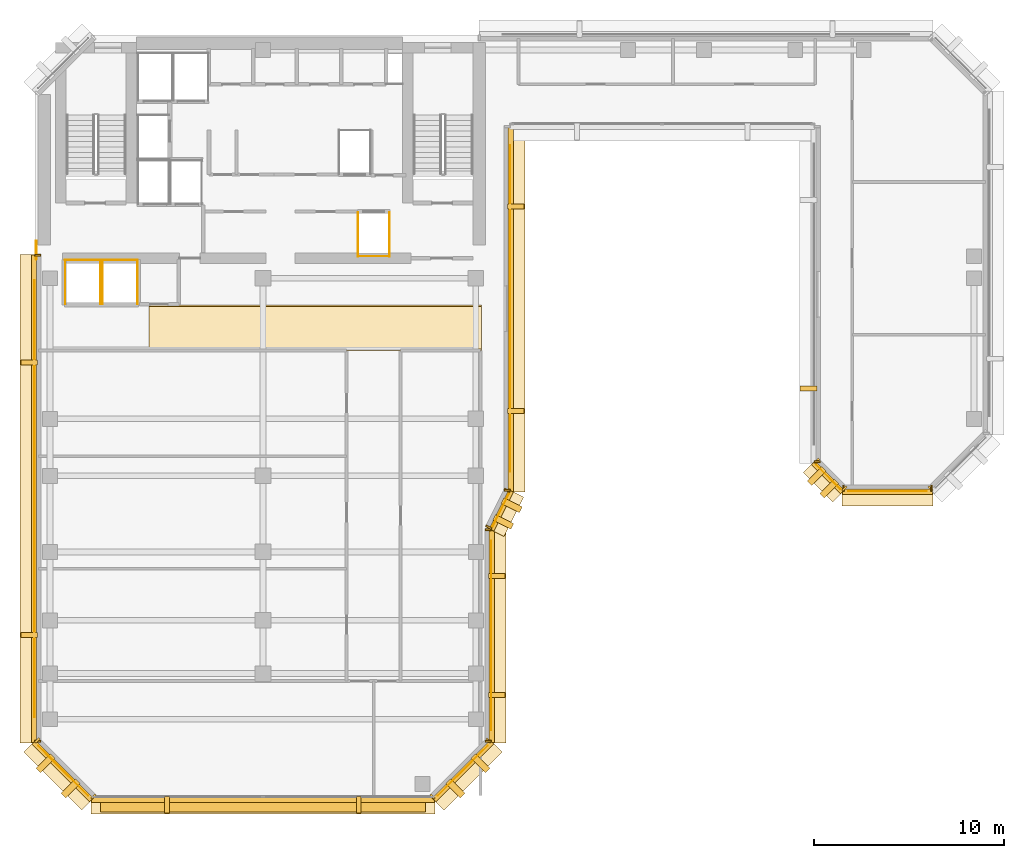
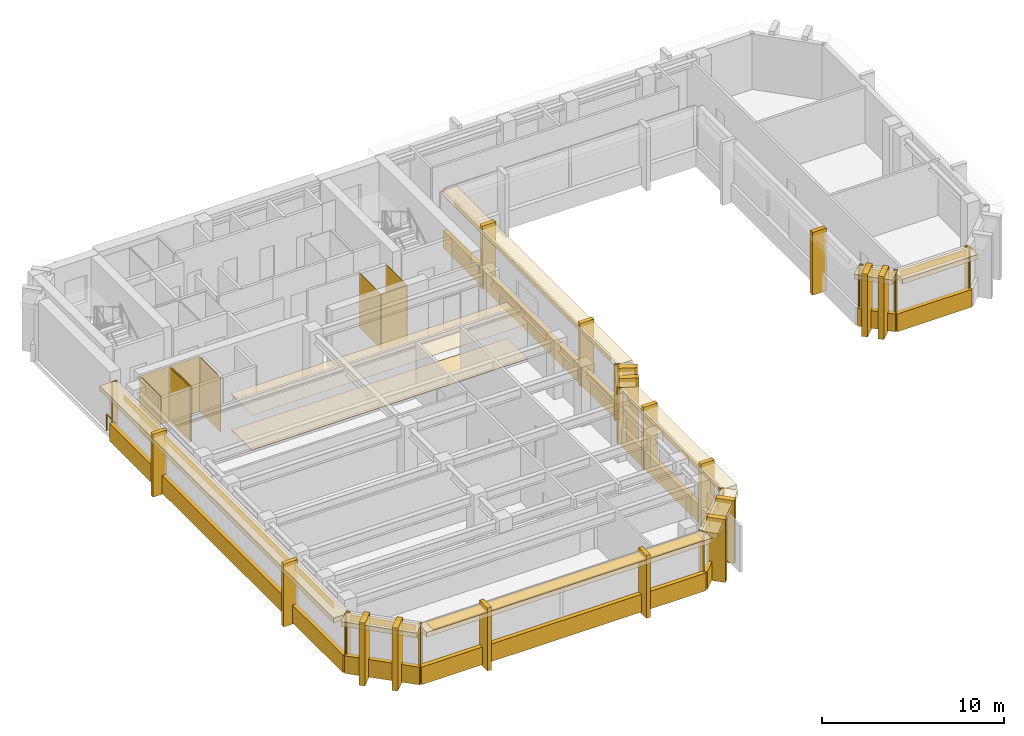
# One storey, part 8 of 11: 71 coverings, 1 railing, 1 shading device.
"""IFC4 building model written with IfcOpenShell, lengths in metres."""

import ifcopenshell
import ifcopenshell.guid

model = None  # the IFC model being written
_history = None  # IfcOwnerHistory: only IFC2X3 demands one
_inside = {}  # id of a spatial element -> (the spatial element, [elements in it])
_under = {}  # id of a project, library or spatial element -> (it, [spatial elements below it])
_declared = {}  # id of a project -> (the project, [libraries it declares])
_typed = {}  # id of a type object -> (the type object, [elements of that type])
_made_of = {}  # id of a material, layer set ... -> (it, [elements and type objects made of it])


def new_model(schema):
    """Start an empty IFC model of exactly this schema.

    Asked for "IFC4X3", IfcOpenShell would pick the latest addendum, in which some entities
    have other attributes; the version numbers below select the first issue.
    IFC2X3 requires an IfcOwnerHistory on every rooted entity: one is made here for all.
    """
    global model, _history
    if schema == "IFC4X3":
        model = ifcopenshell.file(schema_version=(4, 3, 0, 0))
    else:
        model = ifcopenshell.file(schema=schema)
    _inside.clear()
    _under.clear()
    _declared.clear()
    _typed.clear()
    _made_of.clear()
    _history = None
    if model.schema == "IFC2X3":
        org = make("IfcOrganization", Name="unknown")
        user = make(
            "IfcPersonAndOrganization",
            ThePerson=make("IfcPerson", FamilyName="unknown"),
            TheOrganization=org,
        )
        app = make(
            "IfcApplication",
            ApplicationDeveloper=org,
            Version="unknown",
            ApplicationFullName="unknown",
            ApplicationIdentifier="unknown",
        )
        _history = make(
            "IfcOwnerHistory",
            OwningUser=user,
            OwningApplication=app,
            ChangeAction="ADDED",
            CreationDate=0,
        )
    return model


def make(cls, **values):
    """One entity of the class cls with the attributes given. An attribute that is None is left unset."""
    return model.create_entity(
        cls, **{name: value for name, value in values.items() if value is not None}
    )


def rooted(cls, **values):
    """An entity with a GlobalId (a new one), such as an element, a storey or a relation."""
    return make(cls, GlobalId=ifcopenshell.guid.new(), OwnerHistory=_history, **values)


def si_unit(unit_type, name, prefix=None):
    """IfcSIUnit, for example si_unit("LENGTHUNIT", "METRE", prefix="MILLI")."""
    return make("IfcSIUnit", UnitType=unit_type, Prefix=prefix, Name=name)


def assignment(units):
    """IfcUnitAssignment: the units of a project."""
    return None if units is None else make("IfcUnitAssignment", Units=units)


def point(xyz):
    """IfcCartesianPoint."""
    return None if xyz is None else make("IfcCartesianPoint", Coordinates=xyz)


def direction(xyz):
    """IfcDirection."""
    return None if xyz is None else make("IfcDirection", DirectionRatios=xyz)


def frame(location, z_axis=None, x_axis=None):
    """IfcAxis2Placement3D, a coordinate frame: its origin and axes. An axis left out is left unset."""
    return make(
        "IfcAxis2Placement3D",
        Location=point(location),
        Axis=direction(z_axis),
        RefDirection=direction(x_axis),
    )


def frame_2d(location, x_axis=None):
    """IfcAxis2Placement2D, a coordinate frame in the plane: its origin and x axis."""
    return make(
        "IfcAxis2Placement2D", Location=point(location), RefDirection=direction(x_axis)
    )


def origin():
    """The frame at (0, 0, 0) with its axes left unset."""
    return frame((0.0, 0.0, 0.0))


def origin_2d():
    """The frame at (0, 0) in the plane with its x axis left unset."""
    return frame_2d((0.0, 0.0))


def place(relative_to, where):
    """IfcLocalPlacement: puts the frame where relative to a parent placement (None: the world)."""
    return make(
        "IfcLocalPlacement", PlacementRelTo=relative_to, RelativePlacement=where
    )


def context(
    kind, dimensions, precision=None, world=None, true_north=None, identifier=None
):
    """IfcGeometricRepresentationContext, for example the 3D "Model" context."""
    return make(
        "IfcGeometricRepresentationContext",
        ContextIdentifier=identifier,
        ContextType=kind,
        CoordinateSpaceDimension=dimensions,
        Precision=precision,
        WorldCoordinateSystem=world,
        TrueNorth=true_north,
    )


def subcontext(parent, identifier, kind, view, scale=None):
    """IfcGeometricRepresentationSubContext, for example "Body" below "Model"."""
    return make(
        "IfcGeometricRepresentationSubContext",
        ContextIdentifier=identifier,
        ContextType=kind,
        ParentContext=parent,
        TargetScale=scale,
        TargetView=view,
    )


def project(units=None, contexts=None):
    """IfcProject with its units and contexts."""
    return rooted(
        "IfcProject",
        Name="project",
        RepresentationContexts=contexts,
        UnitsInContext=assignment(units),
    )


def spatial(cls, under=None, at=None, **own):
    """A site, building, storey or space (cls), placed at a placement, below another one or the project."""
    s = rooted(cls, ObjectPlacement=at, **own)
    if under is not None:
        _under.setdefault(under.id(), (under, []))[1].append(s)
    return s


def polyline(points):
    """IfcPolyline through the points."""
    return make("IfcPolyline", Points=[point(p) for p in points])


def profile(cls, at=None, kind="AREA", **sizes):
    """A parametric profile (cls). Its sizes go by their IFC names, for example OverallWidth=200.0."""
    return make(cls, ProfileType=kind, Position=at, **sizes)


def rectangle(**sizes):
    """IfcRectangleProfileDef."""
    return profile("IfcRectangleProfileDef", **sizes)


def circle(**sizes):
    """IfcCircleProfileDef."""
    return profile("IfcCircleProfileDef", **sizes)


def outline(outer, holes=None, kind="AREA"):
    """IfcArbitraryClosedProfileDef: a profile drawn as a closed curve; with holes, ...WithVoids."""
    if holes is None:
        return make("IfcArbitraryClosedProfileDef", ProfileType=kind, OuterCurve=outer)
    return make(
        "IfcArbitraryProfileDefWithVoids",
        ProfileType=kind,
        OuterCurve=outer,
        InnerCurves=holes,
    )


def extrude(swept, where, along, depth):
    """IfcExtrudedAreaSolid: the profile swept, set in the frame where, extruded along a direction by depth."""
    return make(
        "IfcExtrudedAreaSolid",
        SweptArea=swept,
        Position=where,
        ExtrudedDirection=direction(along),
        Depth=depth,
    )


def shape(context_of_items, identifier, shape_type, items):
    """IfcShapeRepresentation: the items that make up one representation, for example the "Body"."""
    return make(
        "IfcShapeRepresentation",
        ContextOfItems=context_of_items,
        RepresentationIdentifier=identifier,
        RepresentationType=shape_type,
        Items=items,
    )


def material(Name=None, Category=None):
    """IfcMaterial."""
    return make("IfcMaterial", Name=Name, Category=Category)


def layer(
    of_material, thickness, ventilated=None, Name=None, Category=None, Priority=None
):
    """IfcMaterialLayer: one layer of a wall or slab, of a material (None: an air gap)."""
    return make(
        "IfcMaterialLayer",
        Material=of_material,
        LayerThickness=thickness,
        IsVentilated=ventilated,
        Name=Name,
        Category=Category,
        Priority=Priority,
    )


def layer_set(layers, Name=None):
    """IfcMaterialLayerSet."""
    return make("IfcMaterialLayerSet", MaterialLayers=layers, LayerSetName=Name)


def made_of(thing, what):
    """Note that an element or type object is made of a material, layer set ...; save() writes the relation."""
    if what is not None:
        _made_of.setdefault(what.id(), (what, []))[1].append(thing)
    return thing


def type_object(cls, material=None, **own):
    """A type object (cls), such as IfcWallType, which elements share."""
    return made_of(rooted(cls, **own), material)


def element(
    cls,
    number,
    at=None,
    inside=None,
    cuts=None,
    type_object=None,
    material=None,
    context=None,
    identifier="Body",
    shape_type=None,
    held_by="IfcProductDefinitionShape",
    body=None,
    shapes=None,
    **own,
):
    """One element of the class cls, such as IfcWall. Its Tag is "e" and its number.

    at: its placement. inside: the storey or other place that contains it. cuts: it is an
    opening in that element (IfcRelVoidsElement). A single representation is given by context,
    identifier, shape_type and body (its items); several are given by shapes. held_by: the class
    of the entity that holds the representations. save() writes the other relations.
    """
    e = rooted(cls, Tag="e%d" % number, ObjectPlacement=at, **own)
    if body is not None:
        shapes = [shape(context, identifier, shape_type, body)]
    if shapes is not None:
        e.Representation = make(held_by, Representations=shapes)
    if inside is not None:
        _inside.setdefault(inside.id(), (inside, []))[1].append(e)
    if cuts is not None:
        rooted(
            "IfcRelVoidsElement", RelatingBuildingElement=cuts, RelatedOpeningElement=e
        )
    if type_object is not None:
        _typed.setdefault(type_object.id(), (type_object, []))[1].append(e)
    return made_of(e, material)


def aggregate(whole, parts):
    """IfcRelAggregates: a whole, such as a stair, and the parts it consists of."""
    return rooted("IfcRelAggregates", RelatingObject=whole, RelatedObjects=parts)


def save(model, path):
    """Write the relations noted so far, then the file.

    IfcRelAggregates (storeys below a building ...), IfcRelContainedInSpatialStructure (elements
    in a storey), IfcRelDefinesByType, IfcRelAssociatesMaterial and IfcRelDeclares: one each for
    every whole, place, type object, material and project.
    """
    for whole, parts in _under.values():
        aggregate(whole, parts)
    for where, things in _inside.values():
        rooted(
            "IfcRelContainedInSpatialStructure",
            RelatedElements=things,
            RelatingStructure=where,
        )
    for kind, things in _typed.values():
        rooted("IfcRelDefinesByType", RelatedObjects=things, RelatingType=kind)
    for what, things in _made_of.values():
        rooted("IfcRelAssociatesMaterial", RelatedObjects=things, RelatingMaterial=what)
    for by, libraries in _declared.values():
        rooted("IfcRelDeclares", RelatingContext=by, RelatedDefinitions=libraries)
    model.write(path)


model = new_model("IFC4")

# Units and contexts
model_context = context("Model", 3, precision=1e-05, world=origin(), true_north=direction((0.0, 1.0)))
body_context = subcontext(model_context, "Body", "Model", "MODEL_VIEW")
ifc_project = project(units=[si_unit("LENGTHUNIT", "METRE"), si_unit("AREAUNIT", "SQUARE_METRE"), si_unit("VOLUMEUNIT", "CUBIC_METRE"), si_unit("PLANEANGLEUNIT", "RADIAN"), si_unit("MASSUNIT", "GRAM", prefix="KILO")], contexts=[model_context])

# Site, building, storey
site_placement = place(None, origin())
site = spatial("IfcSite", under=ifc_project, at=site_placement, CompositionType="ELEMENT")
building_placement = place(site_placement, origin())
building = spatial("IfcBuilding", under=site, at=building_placement, Name="Kefirva Bronze Tower", CompositionType="ELEMENT")
storey_placement = place(building_placement, frame((0.0, 0.0, 219.780029296875)))
storey = spatial("IfcBuildingStorey", under=building, at=storey_placement, Name="L53", CompositionType="ELEMENT", Elevation=219.780029296875)

# Coverings
ifc_material_1 = material(Name="Acoustic mineral tile")
ifc_layer_1 = layer(ifc_material_1, 0.02490234375, Name="Acoustic mineral tile")
ifc_layer_set_1 = layer_set([ifc_layer_1], Name="Acoustic mineral tile")
covering_type_1 = type_object("IfcCoveringType", Name="Acoustic Mineral Suspended Ceiling 25mm", PredefinedType="CEILING", material=ifc_layer_set_1)
covering_1_placement = place(storey_placement, frame((0.0, 0.0, 2.39990234375)))
element("IfcCovering", 1, at=covering_1_placement, inside=storey, type_object=covering_type_1, Name="L53 Corridor Acoustic Ceiling", PredefinedType="CEILING", context=body_context, shape_type="SweptSolid", body=[
    extrude(outline(polyline([(6.0, 29.39990234375), (23.5, 29.39990234375), (23.5, 31.800048828125), (6.0, 31.800048828125), (6.0, 29.39990234375)])), origin(), (0.0, 0.0, 1.0), 0.025146484375),
])
ifc_material_2 = material(Name="Bronze anodised aluminium", Category="aluminium")
ifc_layer_2 = layer(ifc_material_2, 0.02001953125, Name="Bronze anodised aluminium")
ifc_layer_set_2 = layer_set([ifc_layer_2], Name="Bronze anodised aluminium")
covering_type_2 = type_object("IfcCoveringType", Name="Anodised Bronze Spandrel Cladding 20mm", PredefinedType="CLADDING", material=ifc_layer_set_2)
covering_2_placement = place(storey_placement, frame((12.0, 5.760009765625, -0.16015625), z_axis=(0.0, 0.0, 1.0), x_axis=(1.0, 0.0, 0.0)))
element("IfcCovering", 2, at=covering_2_placement, inside=storey, type_object=covering_type_2, Name="L53 Streamline Horizontal Spandrel Band 0", PredefinedType="CLADDING", context=body_context, shape_type="SweptSolid", body=[
    extrude(rectangle(XDim=18.0400390625, YDim=0.280029296875, at=origin_2d()), origin(), (0.0, 0.0, 1.0), 1.179931640625),
])
covering_3_placement = place(storey_placement, frame((22.507080078125, 7.29296875, 3.2900390625), z_axis=(0.0, 0.0, 1.0), x_axis=(0.707106781187, 0.707106781187, 0.0)))
element("IfcCovering", 3, at=covering_3_placement, inside=storey, type_object=covering_type_2, Name="L53 Bronze Spandrel Cladding 1", PredefinedType="CLADDING", context=body_context, shape_type="SweptSolid", body=[
    extrude(rectangle(XDim=3.719482421875, YDim=0.02001953125, at=origin_2d()), origin(), (0.0, 0.0, 1.0), 0.39990234375),
])
for number, where, z_axis, x_axis, name in (
    (4, (20.91162109375, 5.93798828125, 0.0), (0.0, 0.0, 1.0), (0.707106781187, 0.707106781187, 0.0), "L53 Facade Joint Closure Panel 1S"),
    (5, (23.862060546875, 8.88818359375, 0.0), (0.0, 0.0, 1.0), (0.707106781187, 0.707106781187, 0.0), "L53 Facade Joint Closure Panel 1E"),
):
    element("IfcCovering", number, at=place(storey_placement, frame(where, z_axis=z_axis, x_axis=x_axis)), inside=storey, type_object=covering_type_2, Name=name, PredefinedType="CLADDING", context=body_context, shape_type="SweptSolid", body=[
        extrude(rectangle(XDim=0.10009765625, YDim=0.320068359375, at=origin_2d()), origin(), (0.0, 0.0, 1.0), 3.7099609375),
    ])
covering_4_placement = place(storey_placement, frame((22.5283203125, 7.271728515625, -0.16015625), z_axis=(0.0, 0.0, 1.0), x_axis=(0.707106781187, 0.707106781187, 0.0)))
element("IfcCovering", 6, at=covering_4_placement, inside=storey, type_object=covering_type_2, Name="L53 Streamline Horizontal Spandrel Band 1", PredefinedType="CLADDING", context=body_context, shape_type="SweptSolid", body=[
    extrude(rectangle(XDim=4.28271484375, YDim=0.280029296875, at=origin_2d()), origin(), (0.0, 0.0, 1.0), 1.179931640625),
])
covering_5_placement = place(storey_placement, frame((24.010009765625, 14.39990234375, 3.2900390625), z_axis=(0.0, 0.0, 1.0), x_axis=(0.0, 1.0, 0.0)))
element("IfcCovering", 7, at=covering_5_placement, inside=storey, type_object=covering_type_2, Name="L53 Bronze Spandrel Cladding 2", PredefinedType="CLADDING", context=body_context, shape_type="SweptSolid", body=[
    extrude(rectangle(XDim=9.98095703125, YDim=0.02001953125, at=origin_2d()), origin(), (0.0, 0.0, 1.0), 0.39990234375),
])
for number, where, z_axis, x_axis, name in (
    (8, (23.840087890625, 8.8349609375, 0.0), (0.0, 0.0, 1.0), (0.0, 1.0, 0.0), "L53 Facade Joint Closure Panel 2S"),
    (9, (23.840087890625, 19.965087890625, 0.0), (0.0, 0.0, 1.0), (0.0, 1.0, 0.0), "L53 Facade Joint Closure Panel 2E"),
):
    element("IfcCovering", number, at=place(storey_placement, frame(where, z_axis=z_axis, x_axis=x_axis)), inside=storey, type_object=covering_type_2, Name=name, PredefinedType="CLADDING", context=body_context, shape_type="SweptSolid", body=[
        extrude(rectangle(XDim=0.10009765625, YDim=0.320068359375, at=origin_2d()), origin(), (0.0, 0.0, 1.0), 3.7099609375),
    ])
covering_6_placement = place(storey_placement, frame((24.0400390625, 14.39990234375, -0.16015625), z_axis=(0.0, 0.0, 1.0), x_axis=(0.0, 1.0, 0.0)))
element("IfcCovering", 10, at=covering_6_placement, inside=storey, type_object=covering_type_2, Name="L53 Streamline Horizontal Spandrel Band 2", PredefinedType="CLADDING", context=body_context, shape_type="SweptSolid", body=[
    extrude(rectangle(XDim=11.239990234375, YDim=0.280029296875, at=origin_2d()), origin(), (0.0, 0.0, 1.0), 1.179931640625),
])
covering_7_placement = place(storey_placement, frame((24.5087890625, 20.99560546875, 3.2900390625), z_axis=(0.0, 0.0, 1.0), x_axis=(0.44721435766, 0.89442680992, 0.0)))
element("IfcCovering", 11, at=covering_7_placement, inside=storey, type_object=covering_type_2, Name="L53 Bronze Spandrel Cladding 3", PredefinedType="CLADDING", context=body_context, shape_type="SweptSolid", body=[
    extrude(rectangle(XDim=1.91357421875, YDim=0.02001953125, at=origin_2d()), origin(), (0.0, 0.0, 1.0), 0.39990234375),
])
for number, where, z_axis, x_axis, name in (
    (12, (23.87255859375, 20.102783203125, 0.0), (0.0, 0.0, 1.0), (0.44721435766, 0.89442680992, 0.0), "L53 Facade Joint Closure Panel 3S"),
    (13, (24.84130859375, 22.040283203125, 0.0), (0.0, 0.0, 1.0), (0.44721435766, 0.89442680992, 0.0), "L53 Facade Joint Closure Panel 3E"),
):
    element("IfcCovering", number, at=place(storey_placement, frame(where, z_axis=z_axis, x_axis=x_axis)), inside=storey, type_object=covering_type_2, Name=name, PredefinedType="CLADDING", context=body_context, shape_type="SweptSolid", body=[
        extrude(rectangle(XDim=0.10009765625, YDim=0.320068359375, at=origin_2d()), origin(), (0.0, 0.0, 1.0), 3.7099609375),
    ])
covering_8_placement = place(storey_placement, frame((24.535888671875, 20.982177734375, -0.16015625), z_axis=(0.0, 0.0, 1.0), x_axis=(0.44721435766, 0.89442680992, 0.0)))
element("IfcCovering", 14, at=covering_8_placement, inside=storey, type_object=covering_type_2, Name="L53 Streamline Horizontal Spandrel Band 3", PredefinedType="CLADDING", context=body_context, shape_type="SweptSolid", body=[
    extrude(rectangle(XDim=2.276123046875, YDim=0.280029296875, at=origin_2d()), origin(), (0.0, 0.0, 1.0), 1.179931640625),
])
covering_9_placement = place(storey_placement, frame((25.010009765625, 31.60009765625, 3.2900390625), z_axis=(0.0, 0.0, 1.0), x_axis=(0.0, 1.0, 0.0)))
element("IfcCovering", 15, at=covering_9_placement, inside=storey, type_object=covering_type_2, Name="L53 Bronze Spandrel Cladding 4", PredefinedType="CLADDING", context=body_context, shape_type="SweptSolid", body=[
    extrude(rectangle(XDim=17.180908203125, YDim=0.02001953125, at=origin_2d()), origin(), (0.0, 0.0, 1.0), 0.39990234375),
])
covering_10_placement = place(storey_placement, frame((24.840087890625, 22.034912109375, 0.0), z_axis=(0.0, 0.0, 1.0), x_axis=(0.0, 1.0, 0.0)))
element("IfcCovering", 16, at=covering_10_placement, inside=storey, type_object=covering_type_2, Name="L53 Facade Joint Closure Panel 4S", PredefinedType="CLADDING", context=body_context, shape_type="SweptSolid", body=[
    extrude(rectangle(XDim=0.10009765625, YDim=0.320068359375, at=origin_2d()), origin(), (0.0, 0.0, 1.0), 3.7099609375),
])
covering_11_placement = place(storey_placement, frame((25.0400390625, 31.60009765625, -0.16015625), z_axis=(0.0, 0.0, 1.0), x_axis=(0.0, 1.0, 0.0)))
element("IfcCovering", 17, at=covering_11_placement, inside=storey, type_object=covering_type_2, Name="L53 Streamline Horizontal Spandrel Band 5", PredefinedType="CLADDING", context=body_context, shape_type="SweptSolid", body=[
    extrude(rectangle(XDim=19.239990234375, YDim=0.280029296875, at=origin_2d()), origin(), (0.0, 0.0, 1.0), 1.179931640625),
])
covering_12_placement = place(storey_placement, frame((41.159912109375, 23.534912109375, 0.0), z_axis=(0.0, 0.0, 1.0), x_axis=(0.0, -1.0, 0.0)))
element("IfcCovering", 18, at=covering_12_placement, inside=storey, type_object=covering_type_2, Name="L53 Facade Joint Closure Panel 5E", PredefinedType="CLADDING", context=body_context, shape_type="SweptSolid", body=[
    extrude(rectangle(XDim=0.10009765625, YDim=0.320068359375, at=origin_2d()), origin(), (0.0, 0.0, 1.0), 3.7099609375),
])
covering_13_placement = place(storey_placement, frame((41.742919921875, 22.742919921875, 3.2900390625), z_axis=(0.0, 0.0, 1.0), x_axis=(0.707106781187, -0.707106781187, 0.0)))
element("IfcCovering", 19, at=covering_13_placement, inside=storey, type_object=covering_type_2, Name="L53 Bronze Spandrel Cladding 6", PredefinedType="CLADDING", context=body_context, shape_type="SweptSolid", body=[
    extrude(rectangle(XDim=1.810302734375, YDim=0.02001953125, at=origin_2d()), origin(), (0.0, 0.0, 1.0), 0.39990234375),
])
for number, where, z_axis, x_axis, name in (
    (20, (41.137939453125, 23.58837890625, 0.0), (0.0, 0.0, 1.0), (0.707106781187, -0.707106781187, 0.0), "L53 Facade Joint Closure Panel 6S"),
    (21, (42.58837890625, 22.137939453125, 0.0), (0.0, 0.0, 1.0), (0.707106781187, -0.707106781187, 0.0), "L53 Facade Joint Closure Panel 6E"),
):
    element("IfcCovering", number, at=place(storey_placement, frame(where, z_axis=z_axis, x_axis=x_axis)), inside=storey, type_object=covering_type_2, Name=name, PredefinedType="CLADDING", context=body_context, shape_type="SweptSolid", body=[
        extrude(rectangle(XDim=0.10009765625, YDim=0.320068359375, at=origin_2d()), origin(), (0.0, 0.0, 1.0), 3.7099609375),
    ])
covering_14_placement = place(storey_placement, frame((41.7216796875, 22.7216796875, -0.16015625), z_axis=(0.0, 0.0, 1.0), x_axis=(0.707106781187, -0.707106781187, 0.0)))
element("IfcCovering", 22, at=covering_14_placement, inside=storey, type_object=covering_type_2, Name="L53 Streamline Horizontal Spandrel Band 8", PredefinedType="CLADDING", context=body_context, shape_type="SweptSolid", body=[
    extrude(rectangle(XDim=2.161376953125, YDim=0.280029296875, at=origin_2d()), origin(), (0.0, 0.0, 1.0), 1.179931640625),
])
covering_15_placement = place(storey_placement, frame((44.85009765625, 21.989990234375, 3.2900390625), z_axis=(0.0, 0.0, 1.0), x_axis=(1.0, 0.0, 0.0)))
element("IfcCovering", 23, at=covering_15_placement, inside=storey, type_object=covering_type_2, Name="L53 Bronze Spandrel Cladding 7", PredefinedType="CLADDING", context=body_context, shape_type="SweptSolid", body=[
    extrude(rectangle(XDim=4.131103515625, YDim=0.02001953125, at=origin_2d()), origin(), (0.0, 0.0, 1.0), 0.39990234375),
])
for number, where, z_axis, x_axis, name in (
    (24, (42.534912109375, 22.159912109375, 0.0), (0.0, 0.0, 1.0), (1.0, 0.0, 0.0), "L53 Facade Joint Closure Panel 7S"),
    (25, (47.1650390625, 22.159912109375, 0.0), (0.0, 0.0, 1.0), (1.0, 0.0, 0.0), "L53 Facade Joint Closure Panel 7E"),
):
    element("IfcCovering", number, at=place(storey_placement, frame(where, z_axis=z_axis, x_axis=x_axis)), inside=storey, type_object=covering_type_2, Name=name, PredefinedType="CLADDING", context=body_context, shape_type="SweptSolid", body=[
        extrude(rectangle(XDim=0.10009765625, YDim=0.320068359375, at=origin_2d()), origin(), (0.0, 0.0, 1.0), 3.7099609375),
    ])
covering_16_placement = place(storey_placement, frame((44.85009765625, 21.9599609375, -0.16015625), z_axis=(0.0, 0.0, 1.0), x_axis=(1.0, 0.0, 0.0)))
element("IfcCovering", 26, at=covering_16_placement, inside=storey, type_object=covering_type_2, Name="L53 Streamline Horizontal Spandrel Band 9", PredefinedType="CLADDING", context=body_context, shape_type="SweptSolid", body=[
    extrude(rectangle(XDim=4.739990234375, YDim=0.280029296875, at=origin_2d()), origin(), (0.0, 0.0, 1.0), 1.179931640625),
])
covering_17_placement = place(storey_placement, frame((47.11181640625, 22.137939453125, 0.0), z_axis=(0.0, 0.0, 1.0), x_axis=(0.707106781187, 0.707106781187, 0.0)))
element("IfcCovering", 27, at=covering_17_placement, inside=storey, type_object=covering_type_2, Name="L53 Facade Joint Closure Panel 8S", PredefinedType="CLADDING", context=body_context, shape_type="SweptSolid", body=[
    extrude(rectangle(XDim=0.10009765625, YDim=0.320068359375, at=origin_2d()), origin(), (0.0, 0.0, 1.0), 3.7099609375),
])
covering_18_placement = place(storey_placement, frame((-0.010009765625, 21.597412109375, 3.2900390625), z_axis=(0.0, 0.0, 1.0), x_axis=(0.0, -1.0, 0.0)))
element("IfcCovering", 28, at=covering_18_placement, inside=storey, type_object=covering_type_2, Name="L53 Bronze Spandrel Cladding 13", PredefinedType="CLADDING", context=body_context, shape_type="SweptSolid", body=[
    extrude(rectangle(XDim=22.986083984375, YDim=0.02001953125, at=origin_2d()), origin(), (0.0, 0.0, 1.0), 0.39990234375),
])
for number, where, z_axis, x_axis, name in (
    (29, (0.159912109375, 34.4150390625, 0.0), (0.0, 0.0, 1.0), (0.0, -1.0, 0.0), "L53 Facade Joint Closure Panel 13S"),
    (30, (0.159912109375, 8.8349609375, 0.0), (0.0, 0.0, 1.0), (0.0, -1.0, 0.0), "L53 Facade Joint Closure Panel 13E"),
):
    element("IfcCovering", number, at=place(storey_placement, frame(where, z_axis=z_axis, x_axis=x_axis)), inside=storey, type_object=covering_type_2, Name=name, PredefinedType="CLADDING", context=body_context, shape_type="SweptSolid", body=[
        extrude(rectangle(XDim=0.10009765625, YDim=0.320068359375, at=origin_2d()), origin(), (0.0, 0.0, 1.0), 3.7099609375),
    ])
covering_19_placement = place(storey_placement, frame((-0.0400390625, 21.597412109375, -0.16015625), z_axis=(0.0, 0.0, 1.0), x_axis=(0.0, -1.0, 0.0)))
element("IfcCovering", 31, at=covering_19_placement, inside=storey, type_object=covering_type_2, Name="L53 Streamline Horizontal Spandrel Band 15", PredefinedType="CLADDING", context=body_context, shape_type="SweptSolid", body=[
    extrude(rectangle(XDim=25.635009765625, YDim=0.280029296875, at=origin_2d()), origin(), (0.0, 0.0, 1.0), 1.179931640625),
])
covering_20_placement = place(storey_placement, frame((1.492919921875, 7.29296875, 3.2900390625), z_axis=(0.0, 0.0, 1.0), x_axis=(0.707106781187, -0.707106781187, 0.0)))
element("IfcCovering", 32, at=covering_20_placement, inside=storey, type_object=covering_type_2, Name="L53 Bronze Spandrel Cladding 14", PredefinedType="CLADDING", context=body_context, shape_type="SweptSolid", body=[
    extrude(rectangle(XDim=3.719482421875, YDim=0.02001953125, at=origin_2d()), origin(), (0.0, 0.0, 1.0), 0.39990234375),
])
for number, where, z_axis, x_axis, name in (
    (33, (0.137939453125, 8.88818359375, 0.0), (0.0, 0.0, 1.0), (0.707106781187, -0.707106781187, 0.0), "L53 Facade Joint Closure Panel 14S"),
    (34, (3.08837890625, 5.93798828125, 0.0), (0.0, 0.0, 1.0), (0.707106781187, -0.707106781187, 0.0), "L53 Facade Joint Closure Panel 14E"),
):
    element("IfcCovering", number, at=place(storey_placement, frame(where, z_axis=z_axis, x_axis=x_axis)), inside=storey, type_object=covering_type_2, Name=name, PredefinedType="CLADDING", context=body_context, shape_type="SweptSolid", body=[
        extrude(rectangle(XDim=0.10009765625, YDim=0.320068359375, at=origin_2d()), origin(), (0.0, 0.0, 1.0), 3.7099609375),
    ])
covering_21_placement = place(storey_placement, frame((1.4716796875, 7.271728515625, -0.16015625), z_axis=(0.0, 0.0, 1.0), x_axis=(0.707106781187, -0.707106781187, 0.0)))
element("IfcCovering", 35, at=covering_21_placement, inside=storey, type_object=covering_type_2, Name="L53 Streamline Horizontal Spandrel Band 16", PredefinedType="CLADDING", context=body_context, shape_type="SweptSolid", body=[
    extrude(rectangle(XDim=4.28271484375, YDim=0.280029296875, at=origin_2d()), origin(), (0.0, 0.0, 1.0), 1.179931640625),
])
covering_22_placement = place(storey_placement, origin())
element("IfcCovering", 36, at=covering_22_placement, inside=storey, type_object=covering_type_2, Name="L53 Lift OB1 Hoistway Liner N", PredefinedType="CLADDING", context=body_context, shape_type="SweptSolid", body=[
    extrude(outline(polyline([(1.580078125, 34.139892578125), (3.469970703125, 34.139892578125), (3.469970703125, 34.159912109375), (1.580078125, 34.159912109375), (1.580078125, 34.139892578125)])), origin(), (0.0, 0.0, 1.0), 3.7099609375),
])
covering_23_placement = place(storey_placement, origin())
element("IfcCovering", 37, at=covering_23_placement, inside=storey, type_object=covering_type_2, Name="L53 Lift OB1 Hoistway Liner W", PredefinedType="CLADDING", context=body_context, shape_type="SweptSolid", body=[
    extrude(outline(polyline([(1.590087890625, 31.830078125), (1.610107421875, 31.830078125), (1.610107421875, 34.169921875), (1.590087890625, 34.169921875), (1.590087890625, 31.830078125)])), origin(), (0.0, 0.0, 1.0), 3.7099609375),
])
covering_24_placement = place(storey_placement, origin())
element("IfcCovering", 38, at=covering_24_placement, inside=storey, type_object=covering_type_2, Name="L53 Lift OB1 Hoistway Liner E", PredefinedType="CLADDING", context=body_context, shape_type="SweptSolid", body=[
    extrude(outline(polyline([(3.43994140625, 31.830078125), (3.4599609375, 31.830078125), (3.4599609375, 34.169921875), (3.43994140625, 34.169921875), (3.43994140625, 31.830078125)])), origin(), (0.0, 0.0, 1.0), 3.7099609375),
])
covering_25_placement = place(storey_placement, origin())
element("IfcCovering", 39, at=covering_25_placement, inside=storey, type_object=covering_type_2, Name="L53 Lift OB2 Hoistway Liner N", PredefinedType="CLADDING", context=body_context, shape_type="SweptSolid", body=[
    extrude(outline(polyline([(3.530029296875, 34.139892578125), (5.419921875, 34.139892578125), (5.419921875, 34.159912109375), (3.530029296875, 34.159912109375), (3.530029296875, 34.139892578125)])), origin(), (0.0, 0.0, 1.0), 3.7099609375),
])
covering_26_placement = place(storey_placement, origin())
element("IfcCovering", 40, at=covering_26_placement, inside=storey, type_object=covering_type_2, Name="L53 Lift OB2 Hoistway Liner W", PredefinedType="CLADDING", context=body_context, shape_type="SweptSolid", body=[
    extrude(outline(polyline([(3.5400390625, 31.830078125), (3.56005859375, 31.830078125), (3.56005859375, 34.169921875), (3.5400390625, 34.169921875), (3.5400390625, 31.830078125)])), origin(), (0.0, 0.0, 1.0), 3.7099609375),
])
covering_27_placement = place(storey_placement, origin())
element("IfcCovering", 41, at=covering_27_placement, inside=storey, type_object=covering_type_2, Name="L53 Lift OB2 Hoistway Liner E", PredefinedType="CLADDING", context=body_context, shape_type="SweptSolid", body=[
    extrude(outline(polyline([(5.389892578125, 31.830078125), (5.409912109375, 31.830078125), (5.409912109375, 34.169921875), (5.389892578125, 34.169921875), (5.389892578125, 31.830078125)])), origin(), (0.0, 0.0, 1.0), 3.7099609375),
])
covering_28_placement = place(storey_placement, origin())
element("IfcCovering", 42, at=covering_28_placement, inside=storey, type_object=covering_type_2, Name="L53 Lift HP1 Hoistway Liner S", PredefinedType="CLADDING", context=body_context, shape_type="SweptSolid", body=[
    extrude(outline(polyline([(16.97998046875, 34.340087890625), (18.669921875, 34.340087890625), (18.669921875, 34.360107421875), (16.97998046875, 34.360107421875), (16.97998046875, 34.340087890625)])), origin(), (0.0, 0.0, 1.0), 3.7099609375),
])
covering_29_placement = place(storey_placement, origin())
element("IfcCovering", 43, at=covering_29_placement, inside=storey, type_object=covering_type_2, Name="L53 Lift HP1 Hoistway Liner W", PredefinedType="CLADDING", context=body_context, shape_type="SweptSolid", body=[
    extrude(outline(polyline([(16.989990234375, 34.330078125), (17.010009765625, 34.330078125), (17.010009765625, 36.669921875), (16.989990234375, 36.669921875), (16.989990234375, 34.330078125)])), origin(), (0.0, 0.0, 1.0), 3.7099609375),
])
covering_30_placement = place(storey_placement, origin())
element("IfcCovering", 44, at=covering_30_placement, inside=storey, type_object=covering_type_2, Name="L53 Lift HP1 Hoistway Liner E", PredefinedType="CLADDING", context=body_context, shape_type="SweptSolid", body=[
    extrude(outline(polyline([(18.639892578125, 34.330078125), (18.659912109375, 34.330078125), (18.659912109375, 36.669921875), (18.639892578125, 36.669921875), (18.639892578125, 34.330078125)])), origin(), (0.0, 0.0, 1.0), 3.7099609375),
])

# Shading device
ifc_layer_3 = layer(ifc_material_2, 0.090087890625, Name="Bronze anodised aluminium")
ifc_layer_set_3 = layer_set([ifc_layer_3], Name="Bronze anodised aluminium")
shading_device_type = type_object("IfcShadingDeviceType", Name="Horizontal Bronze Sunshade Band 750mm", PredefinedType="JALOUSIE", material=ifc_layer_set_3)
shading_device_placement = place(storey_placement, frame((12.0, 5.5048828125, 3.60498046875), z_axis=(0.0, 0.0, 1.0), x_axis=(1.0, 0.0, 0.0)))
element("IfcShadingDevice", 45, at=shading_device_placement, inside=storey, type_object=shading_device_type, Name="L53 Horizontal Bronze Sunshade Band 0", PredefinedType="JALOUSIE", context=body_context, shape_type="SweptSolid", body=[
    extrude(rectangle(XDim=17.090087890625, YDim=0.75, at=origin_2d()), origin(), (0.0, 0.0, 1.0), 0.090087890625),
])

# Railing
ifc_material_3 = material(Name="Stainless steel 316", Category="steel")
railing_type = type_object("IfcRailingType", Name="Interior Stair Guardrail 1100mm", PredefinedType="GUARDRAIL", material=ifc_material_3)
railing_placement = place(storey_placement, frame((0.080078125, 34.199951171875, 0.0)))
element("IfcRailing", 46, at=railing_placement, inside=storey, type_object=railing_type, Name="L53 West Core Junction Guardrail", PredefinedType="GUARDRAIL", context=body_context, shape_type="SweptSolid", body=[
    extrude(circle(Radius=0.02392578125, at=origin_2d()), frame((0.0, 0.0, 1.076171875), z_axis=(0.0, 1.0, 0.0), x_axis=(-1.0, 0.0, 0.0)), (0.0, 0.0, 1.0), 0.949951171875),
    extrude(circle(Radius=0.02099609375, at=origin_2d()), origin(), (0.0, 0.0, 1.0), 1.052001953125),
    extrude(circle(Radius=0.02099609375, at=origin_2d()), frame((0.0, 0.949951171875, 0.0)), (0.0, 0.0, 1.0), 1.052001953125),
])

# Coverings
ifc_material_4 = material(Name="Calcium sulphate access tile")
ifc_layer_4 = layer(ifc_material_4, 0.044921875, Name="Calcium sulphate access tile")
ifc_layer_set_4 = layer_set([ifc_layer_4], Name="Calcium sulphate access tile")
covering_type_3 = type_object("IfcCoveringType", Name="Raised Access Office Flooring 45mm", PredefinedType="FLOORING", material=ifc_layer_set_4)
covering_31_placement = place(storey_placement, origin())
element("IfcCovering", 47, at=covering_31_placement, inside=storey, type_object=covering_type_3, Name="L53 Architectural Finish Flooring", PredefinedType="FLOORING", context=body_context, shape_type="SweptSolid", body=[
    extrude(outline(polyline([(6.0, 29.47998046875), (23.5, 29.47998046875), (23.5, 31.719970703125), (6.0, 31.719970703125), (6.0, 29.47998046875)])), origin(), (0.0, 0.0, 1.0), 0.044921875),
])
ifc_layer_5 = layer(ifc_material_2, 0.179931640625, Name="Bronze anodised aluminium")
ifc_layer_set_5 = layer_set([ifc_layer_5], Name="Bronze anodised aluminium")
covering_type_4 = type_object("IfcCoveringType", Name="Streamline Bronze Sunshade Eyebrow Cladding 180mm", PredefinedType="CLADDING", material=ifc_layer_set_5)
covering_32_placement = place(storey_placement, frame((12.0, 5.489990234375, 3.39013671875), z_axis=(0.0, 0.0, 1.0), x_axis=(1.0, 0.0, 0.0)))
element("IfcCovering", 48, at=covering_32_placement, inside=storey, type_object=covering_type_4, Name="L53 Streamline Bronze Sunshade Eyebrow 0", PredefinedType="CLADDING", context=body_context, shape_type="SweptSolid", body=[
    extrude(rectangle(XDim=18.080078125, YDim=0.93994140625, at=origin_2d()), origin(), (0.0, 0.0, 1.0), 0.320068359375),
])
covering_33_placement = place(storey_placement, frame((22.71923828125, 7.080810546875, 3.39013671875), z_axis=(0.0, 0.0, 1.0), x_axis=(0.707106781187, 0.707106781187, 0.0)))
element("IfcCovering", 49, at=covering_33_placement, inside=storey, type_object=covering_type_4, Name="L53 Streamline Bronze Sunshade Eyebrow 1", PredefinedType="CLADDING", context=body_context, shape_type="SweptSolid", body=[
    extrude(rectangle(XDim=4.322509765625, YDim=0.93994140625, at=origin_2d()), origin(), (0.0, 0.0, 1.0), 0.320068359375),
])
covering_34_placement = place(storey_placement, frame((24.31005859375, 14.39990234375, 3.39013671875), z_axis=(0.0, 0.0, 1.0), x_axis=(0.0, 1.0, 0.0)))
element("IfcCovering", 50, at=covering_34_placement, inside=storey, type_object=covering_type_4, Name="L53 Streamline Bronze Sunshade Eyebrow 2", PredefinedType="CLADDING", context=body_context, shape_type="SweptSolid", body=[
    extrude(rectangle(XDim=11.280029296875, YDim=0.93994140625, at=origin_2d()), origin(), (0.0, 0.0, 1.0), 0.320068359375),
])
covering_35_placement = place(storey_placement, frame((24.77734375, 20.861328125, 3.39013671875), z_axis=(0.0, 0.0, 1.0), x_axis=(0.44721435766, 0.89442680992, 0.0)))
element("IfcCovering", 51, at=covering_35_placement, inside=storey, type_object=covering_type_4, Name="L53 Streamline Bronze Sunshade Eyebrow 3", PredefinedType="CLADDING", context=body_context, shape_type="SweptSolid", body=[
    extrude(rectangle(XDim=2.316162109375, YDim=0.93994140625, at=origin_2d()), origin(), (0.0, 0.0, 1.0), 0.320068359375),
])
covering_36_placement = place(storey_placement, frame((25.31005859375, 31.60009765625, 3.39013671875), z_axis=(0.0, 0.0, 1.0), x_axis=(0.0, 1.0, 0.0)))
element("IfcCovering", 52, at=covering_36_placement, inside=storey, type_object=covering_type_4, Name="L53 Streamline Bronze Sunshade Eyebrow 5", PredefinedType="CLADDING", context=body_context, shape_type="SweptSolid", body=[
    extrude(rectangle(XDim=19.280029296875, YDim=0.93994140625, at=origin_2d()), origin(), (0.0, 0.0, 1.0), 0.320068359375),
])
covering_37_placement = place(storey_placement, frame((41.53076171875, 22.53076171875, 3.39013671875), z_axis=(0.0, 0.0, 1.0), x_axis=(0.707106781187, -0.707106781187, 0.0)))
element("IfcCovering", 53, at=covering_37_placement, inside=storey, type_object=covering_type_4, Name="L53 Streamline Bronze Sunshade Eyebrow 8", PredefinedType="CLADDING", context=body_context, shape_type="SweptSolid", body=[
    extrude(rectangle(XDim=2.201416015625, YDim=0.93994140625, at=origin_2d()), origin(), (0.0, 0.0, 1.0), 0.320068359375),
])
covering_38_placement = place(storey_placement, frame((44.85009765625, 21.68994140625, 3.39013671875), z_axis=(0.0, 0.0, 1.0), x_axis=(1.0, 0.0, 0.0)))
element("IfcCovering", 54, at=covering_38_placement, inside=storey, type_object=covering_type_4, Name="L53 Streamline Bronze Sunshade Eyebrow 9", PredefinedType="CLADDING", context=body_context, shape_type="SweptSolid", body=[
    extrude(rectangle(XDim=4.780029296875, YDim=0.93994140625, at=origin_2d()), origin(), (0.0, 0.0, 1.0), 0.320068359375),
])
covering_39_placement = place(storey_placement, frame((-0.31005859375, 21.597412109375, 3.39013671875), z_axis=(0.0, 0.0, 1.0), x_axis=(0.0, -1.0, 0.0)))
element("IfcCovering", 55, at=covering_39_placement, inside=storey, type_object=covering_type_4, Name="L53 Streamline Bronze Sunshade Eyebrow 15", PredefinedType="CLADDING", context=body_context, shape_type="SweptSolid", body=[
    extrude(rectangle(XDim=25.675048828125, YDim=0.93994140625, at=origin_2d()), origin(), (0.0, 0.0, 1.0), 0.320068359375),
])
covering_40_placement = place(storey_placement, frame((1.28076171875, 7.080810546875, 3.39013671875), z_axis=(0.0, 0.0, 1.0), x_axis=(0.707106781187, -0.707106781187, 0.0)))
element("IfcCovering", 56, at=covering_40_placement, inside=storey, type_object=covering_type_4, Name="L53 Streamline Bronze Sunshade Eyebrow 16", PredefinedType="CLADDING", context=body_context, shape_type="SweptSolid", body=[
    extrude(rectangle(XDim=4.322509765625, YDim=0.93994140625, at=origin_2d()), origin(), (0.0, 0.0, 1.0), 0.320068359375),
])
ifc_layer_6 = layer(ifc_material_2, 0.260009765625, Name="Bronze anodised aluminium")
ifc_layer_set_6 = layer_set([ifc_layer_6], Name="Bronze anodised aluminium")
covering_type_5 = type_object("IfcCoveringType", Name="Unbroken Bronze Buttress Fin Cladding 260mm", PredefinedType="CLADDING", material=ifc_layer_set_6)
for number, where, z_axis, x_axis, name in (
    (57, (6.9599609375, 5.5, -0.25), (0.0, 0.0, 1.0), (1.0, 0.0, 0.0), "L53 Unbroken Vertical Bronze Rib Fin 1"),
    (58, (17.0400390625, 5.5, -0.25), (0.0, 0.0, 1.0), (1.0, 0.0, 0.0), "L53 Unbroken Vertical Bronze Rib Fin 2"),
):
    element("IfcCovering", number, at=place(storey_placement, frame(where, z_axis=z_axis, x_axis=x_axis)), inside=storey, type_object=covering_type_5, Name=name, PredefinedType="CLADDING", context=body_context, shape_type="SweptSolid", body=[
        extrude(rectangle(XDim=0.260009765625, YDim=0.8798828125, at=origin_2d()), origin(), (0.0, 0.0, 1.0), 4.2099609375),
    ])
for number, where, z_axis, x_axis, name in (
    (59, (22.122802734375, 6.357177734375, -0.25), (0.0, 0.0, 1.0), (0.707106781187, 0.707106781187, 0.0), "L53 Chamfered Corner Buttress Fin Cladding 3"),
    (60, (23.44287109375, 7.67724609375, -0.25), (0.0, 0.0, 1.0), (0.707106781187, 0.707106781187, 0.0), "L53 Chamfered Corner Buttress Fin Cladding 4"),
):
    element("IfcCovering", number, at=place(storey_placement, frame(where, z_axis=z_axis, x_axis=x_axis)), inside=storey, type_object=covering_type_5, Name=name, PredefinedType="CLADDING", context=body_context, shape_type="SweptSolid", body=[
        extrude(rectangle(XDim=0.340087890625, YDim=1.080078125, at=origin_2d()), origin(), (0.0, 0.0, 1.0), 4.2099609375),
    ])
for number, where, z_axis, x_axis, name in (
    (61, (24.300048828125, 11.263916015625, -0.25), (0.0, 0.0, 1.0), (0.0, 1.0, 0.0), "L53 Unbroken Vertical Bronze Rib Fin 5"),
    (62, (24.300048828125, 17.535888671875, -0.25), (0.0, 0.0, 1.0), (0.0, 1.0, 0.0), "L53 Unbroken Vertical Bronze Rib Fin 6"),
):
    element("IfcCovering", number, at=place(storey_placement, frame(where, z_axis=z_axis, x_axis=x_axis)), inside=storey, type_object=covering_type_5, Name=name, PredefinedType="CLADDING", context=body_context, shape_type="SweptSolid", body=[
        extrude(rectangle(XDim=0.260009765625, YDim=0.8798828125, at=origin_2d()), origin(), (0.0, 0.0, 1.0), 4.2099609375),
    ])
for number, where, z_axis, x_axis, name in (
    (63, (24.6376953125, 20.381103515625, -0.25), (0.0, 0.0, 1.0), (0.44721435766, 0.89442680992, 0.0), "L53 Chamfered Corner Buttress Fin Cladding 7"),
    (64, (25.077880859375, 21.260986328125, -0.25), (0.0, 0.0, 1.0), (0.44721435766, 0.89442680992, 0.0), "L53 Chamfered Corner Buttress Fin Cladding 8"),
):
    element("IfcCovering", number, at=place(storey_placement, frame(where, z_axis=z_axis, x_axis=x_axis)), inside=storey, type_object=covering_type_5, Name=name, PredefinedType="CLADDING", context=body_context, shape_type="SweptSolid", body=[
        extrude(rectangle(XDim=0.340087890625, YDim=1.080078125, at=origin_2d()), origin(), (0.0, 0.0, 1.0), 4.2099609375),
    ])
for number, where, z_axis, x_axis, name in (
    (65, (25.300048828125, 26.22412109375, -0.25), (0.0, 0.0, 1.0), (0.0, 1.0, 0.0), "L53 Unbroken Vertical Bronze Rib Fin 9"),
    (66, (25.300048828125, 36.97607421875, -0.25), (0.0, 0.0, 1.0), (0.0, 1.0, 0.0), "L53 Unbroken Vertical Bronze Rib Fin 10"),
    (67, (40.699951171875, 27.39404296875, -0.25), (0.0, 0.0, 1.0), (0.0, -1.0, 0.0), "L53 Unbroken Vertical Bronze Rib Fin 14"),
):
    element("IfcCovering", number, at=place(storey_placement, frame(where, z_axis=z_axis, x_axis=x_axis)), inside=storey, type_object=covering_type_5, Name=name, PredefinedType="CLADDING", context=body_context, shape_type="SweptSolid", body=[
        extrude(rectangle(XDim=0.260009765625, YDim=0.8798828125, at=origin_2d()), origin(), (0.0, 0.0, 1.0), 4.2099609375),
    ])
for number, where, z_axis, x_axis, name in (
    (68, (41.13720703125, 22.797119140625, -0.25), (0.0, 0.0, 1.0), (0.707106781187, -0.707106781187, 0.0), "L53 Chamfered Corner Buttress Fin Cladding 15"),
    (69, (41.797119140625, 22.13720703125, -0.25), (0.0, 0.0, 1.0), (0.707106781187, -0.707106781187, 0.0), "L53 Chamfered Corner Buttress Fin Cladding 16"),
):
    element("IfcCovering", number, at=place(storey_placement, frame(where, z_axis=z_axis, x_axis=x_axis)), inside=storey, type_object=covering_type_5, Name=name, PredefinedType="CLADDING", context=body_context, shape_type="SweptSolid", body=[
        extrude(rectangle(XDim=0.340087890625, YDim=1.080078125, at=origin_2d()), origin(), (0.0, 0.0, 1.0), 4.2099609375),
    ])
for number, where, z_axis, x_axis, name in (
    (70, (-0.300048828125, 28.76416015625, -0.25), (0.0, 0.0, 1.0), (0.0, -1.0, 0.0), "L53 Unbroken Vertical Bronze Rib Fin 27"),
    (71, (-0.300048828125, 14.430908203125, -0.25), (0.0, 0.0, 1.0), (0.0, -1.0, 0.0), "L53 Unbroken Vertical Bronze Rib Fin 28"),
):
    element("IfcCovering", number, at=place(storey_placement, frame(where, z_axis=z_axis, x_axis=x_axis)), inside=storey, type_object=covering_type_5, Name=name, PredefinedType="CLADDING", context=body_context, shape_type="SweptSolid", body=[
        extrude(rectangle(XDim=0.260009765625, YDim=0.8798828125, at=origin_2d()), origin(), (0.0, 0.0, 1.0), 4.2099609375),
    ])
for number, where, z_axis, x_axis, name in (
    (72, (0.55712890625, 7.67724609375, -0.25), (0.0, 0.0, 1.0), (0.707106781187, -0.707106781187, 0.0), "L53 Chamfered Corner Buttress Fin Cladding 29"),
    (73, (1.877197265625, 6.357177734375, -0.25), (0.0, 0.0, 1.0), (0.707106781187, -0.707106781187, 0.0), "L53 Chamfered Corner Buttress Fin Cladding 30"),
):
    element("IfcCovering", number, at=place(storey_placement, frame(where, z_axis=z_axis, x_axis=x_axis)), inside=storey, type_object=covering_type_5, Name=name, PredefinedType="CLADDING", context=body_context, shape_type="SweptSolid", body=[
        extrude(rectangle(XDim=0.340087890625, YDim=1.080078125, at=origin_2d()), origin(), (0.0, 0.0, 1.0), 4.2099609375),
    ])

save(model, "model.ifc")
